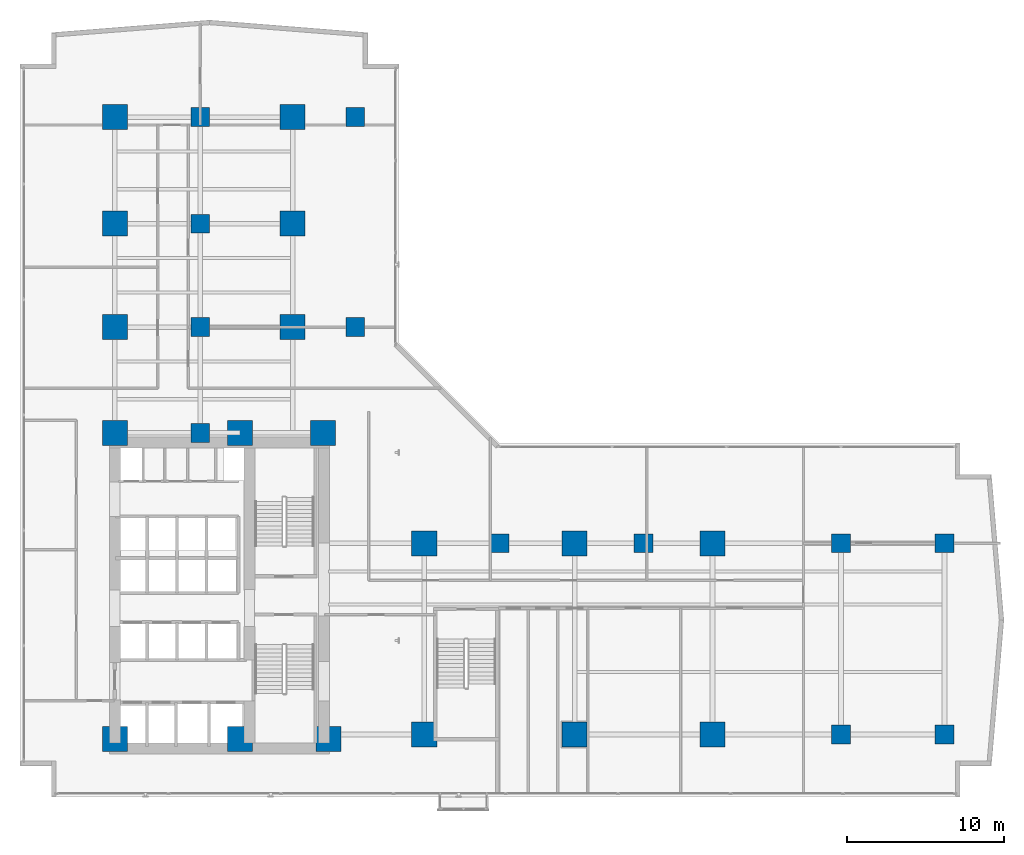
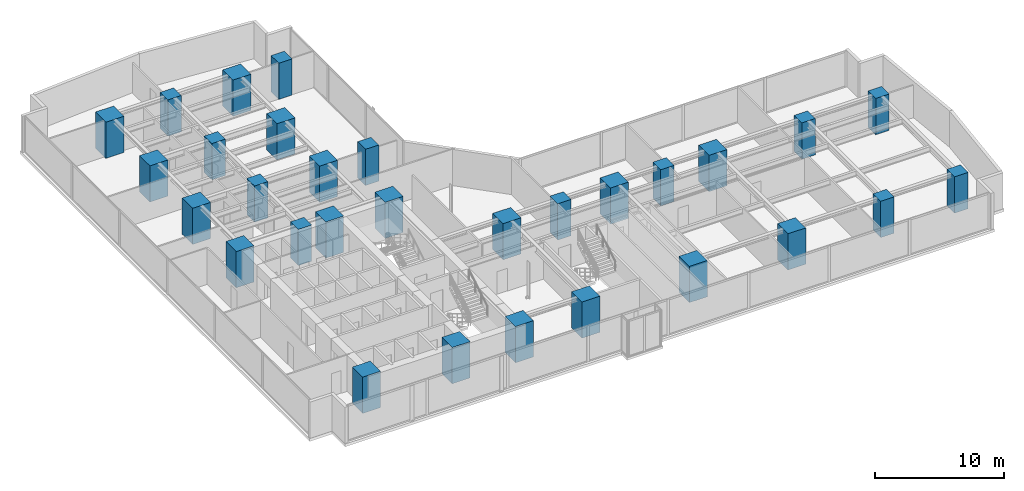
# One storey, part 1 of 28: 30 columns.
"""IFC4 building model written with IfcOpenShell, lengths in metres."""

from ifc_helpers import new_model, si_unit, direction, frame, origin, origin_2d, place, context, subcontext, project, spatial, rectangle, extrude, material, material_profile, profile_set, type_object, element, save


model = new_model("IFC4")

# Units and contexts
model_context = context("Model", 3, precision=1e-05, world=origin(), true_north=direction((0.0, 1.0)))
body_context = subcontext(model_context, "Body", "Model", "MODEL_VIEW")
ifc_project = project(units=[si_unit("LENGTHUNIT", "METRE"), si_unit("AREAUNIT", "SQUARE_METRE"), si_unit("VOLUMEUNIT", "CUBIC_METRE"), si_unit("PLANEANGLEUNIT", "RADIAN"), si_unit("MASSUNIT", "GRAM", prefix="KILO")], contexts=[model_context])

# Site, building, storey
site_placement = place(None, origin())
site = spatial("IfcSite", under=ifc_project, at=site_placement, CompositionType="ELEMENT")
building_placement = place(site_placement, origin())
building = spatial("IfcBuilding", under=site, at=building_placement, Name="Kolvaren Waterfront Exchange", CompositionType="ELEMENT")
storey_placement = place(building_placement, frame((0.0, 0.0, 79.0)))
storey = spatial("IfcBuildingStorey", under=building, at=storey_placement, Name="L20", CompositionType="ELEMENT", Elevation=79.0)

# Columns
ifc_material = material(Name="Concrete C70/85", Category="concrete")
ifc_material_profile_1 = material_profile(ifc_material, rectangle(XDim=1.199951171875, YDim=1.199951171875, at=origin_2d()), Name="RC-COL-1200x1200")
ifc_profile_set_1 = profile_set([ifc_material_profile_1], Name="Concrete C70/85")
column_type_1 = type_object("IfcColumnType", Name="STR-COL-1200-C70", PredefinedType="COLUMN", material=ifc_profile_set_1)
for number, where, z_axis, x_axis, name in (
    (1, (53.800048828125, 5.199951171875, 0.0), (0.0, 0.0, 1.0), (1.0, 0.0, 0.0), "L20 column ZC01"),
    (2, (53.800048828125, 17.39990234375, 0.0), (0.0, 0.0, 1.0), (1.0, 0.0, 0.0), "L20 column ZC02"),
    (3, (60.39990234375, 5.199951171875, 0.0), (0.0, 0.0, 1.0), (1.0, 0.0, 0.0), "L20 column ZC03"),
    (4, (60.39990234375, 17.39990234375, 0.0), (0.0, 0.0, 1.0), (1.0, 0.0, 0.0), "L20 column ZC04"),
    (5, (22.800048828125, 31.199951171875, 0.0), (0.0, 0.0, 1.0), (1.0, 0.0, 0.0), "L20 column ZC05"),
    (6, (22.800048828125, 44.60009765625, 0.0), (0.0, 0.0, 1.0), (1.0, 0.0, 0.0), "L20 column ZC06"),
    (7, (12.89990234375, 24.449951171875, 0.0), (0.0, 0.0, 1.0), (1.0, 0.0, 0.0), "L20 column TC01"),
    (8, (12.89990234375, 31.199951171875, 0.0), (0.0, 0.0, 1.0), (1.0, 0.0, 0.0), "L20 column TC02"),
    (9, (12.89990234375, 37.800048828125, 0.0), (0.0, 0.0, 1.0), (1.0, 0.0, 0.0), "L20 column TC03"),
    (10, (12.89990234375, 44.60009765625, 0.0), (0.0, 0.0, 1.0), (1.0, 0.0, 0.0), "L20 column TC04"),
    (11, (32.0, 17.39990234375, 0.0), (0.0, 0.0, 1.0), (1.0, 0.0, 0.0), "L20 column TC05"),
    (12, (41.199951171875, 17.39990234375, 0.0), (0.0, 0.0, 1.0), (1.0, 0.0, 0.0), "L20 column TC06"),
):
    element("IfcColumn", number, at=place(storey_placement, frame(where, z_axis=z_axis, x_axis=x_axis)), inside=storey, type_object=column_type_1, Name=name, PredefinedType="COLUMN", context=body_context, shape_type="SweptSolid", body=[
        extrude(rectangle(XDim=1.199951171875, YDim=1.199951171875, at=origin_2d()), origin(), (0.0, 0.0, 1.0), 3.419921875),
    ])
ifc_material_profile_2 = material_profile(ifc_material, rectangle(XDim=1.60009765625, YDim=1.60009765625, at=origin_2d()), Name="RC-COL-1600x1600")
ifc_profile_set_2 = profile_set([ifc_material_profile_2], Name="Concrete C70/85")
column_type_2 = type_object("IfcColumnType", Name="STR-COL-1600-C70", PredefinedType="COLUMN", material=ifc_profile_set_2)
for number, where, z_axis, x_axis, name in (
    (13, (7.449951171875, 4.89990234375, 0.0), (0.0, 0.0, 1.0), (1.0, 0.0, 0.0), "L20 column MC01"),
    (14, (15.449951171875, 4.89990234375, 0.0), (0.0, 0.0, 1.0), (1.0, 0.0, 0.0), "L20 column MC02"),
    (15, (21.10009765625, 4.89990234375, 0.0), (0.0, 0.0, 1.0), (1.0, 0.0, 0.0), "L20 column MC03"),
    (16, (7.449951171875, 24.449951171875, 0.0), (0.0, 0.0, 1.0), (1.0, 0.0, 0.0), "L20 column MC04"),
    (17, (15.449951171875, 24.449951171875, 0.0), (0.0, 0.0, 1.0), (1.0, 0.0, 0.0), "L20 column MC05"),
    (18, (20.75, 24.449951171875, 0.0), (0.0, 0.0, 1.0), (1.0, 0.0, 0.0), "L20 column MC06"),
    (19, (7.449951171875, 31.199951171875, 0.0), (0.0, 0.0, 1.0), (1.0, 0.0, 0.0), "L20 column NC01"),
    (20, (7.449951171875, 37.800048828125, 0.0), (0.0, 0.0, 1.0), (1.0, 0.0, 0.0), "L20 column NC02"),
    (21, (7.449951171875, 44.60009765625, 0.0), (0.0, 0.0, 1.0), (1.0, 0.0, 0.0), "L20 column NC03"),
    (22, (18.800048828125, 31.199951171875, 0.0), (0.0, 0.0, 1.0), (1.0, 0.0, 0.0), "L20 column NC04"),
    (23, (18.800048828125, 37.800048828125, 0.0), (0.0, 0.0, 1.0), (1.0, 0.0, 0.0), "L20 column NC05"),
    (24, (18.800048828125, 44.60009765625, 0.0), (0.0, 0.0, 1.0), (1.0, 0.0, 0.0), "L20 column NC06"),
    (25, (27.199951171875, 5.199951171875, 0.0), (0.0, 0.0, 1.0), (1.0, 0.0, 0.0), "L20 column EC01"),
    (26, (36.800048828125, 5.199951171875, 0.0), (0.0, 0.0, 1.0), (1.0, 0.0, 0.0), "L20 column EC02"),
    (27, (45.60009765625, 5.199951171875, 0.0), (0.0, 0.0, 1.0), (1.0, 0.0, 0.0), "L20 column EC03"),
    (28, (27.199951171875, 17.39990234375, 0.0), (0.0, 0.0, 1.0), (1.0, 0.0, 0.0), "L20 column EC04"),
    (29, (36.800048828125, 17.39990234375, 0.0), (0.0, 0.0, 1.0), (1.0, 0.0, 0.0), "L20 column EC05"),
    (30, (45.60009765625, 17.39990234375, 0.0), (0.0, 0.0, 1.0), (1.0, 0.0, 0.0), "L20 column EC06"),
):
    element("IfcColumn", number, at=place(storey_placement, frame(where, z_axis=z_axis, x_axis=x_axis)), inside=storey, type_object=column_type_2, Name=name, PredefinedType="COLUMN", context=body_context, shape_type="SweptSolid", body=[
        extrude(rectangle(XDim=1.60009765625, YDim=1.60009765625, at=origin_2d()), origin(), (0.0, 0.0, 1.0), 3.419921875),
    ])

save(model, "model.ifc")
